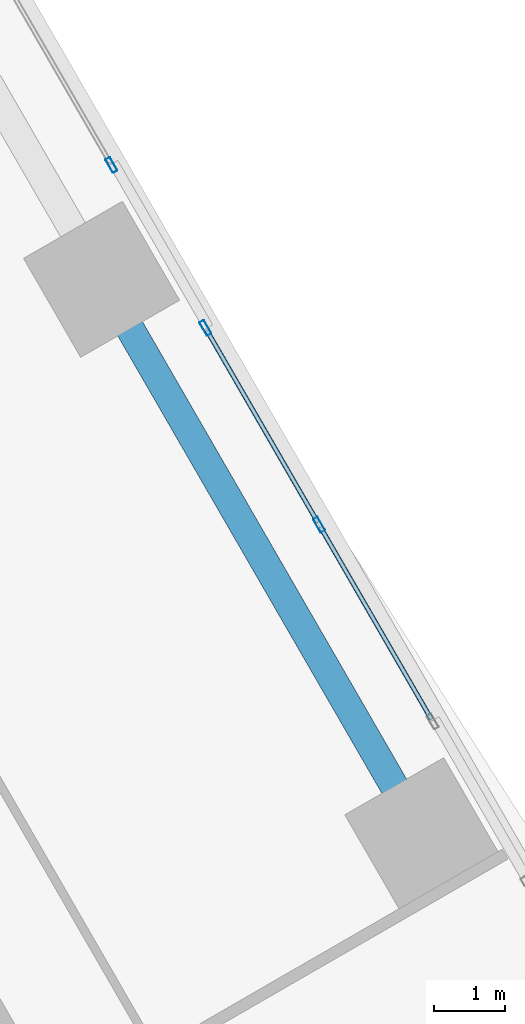
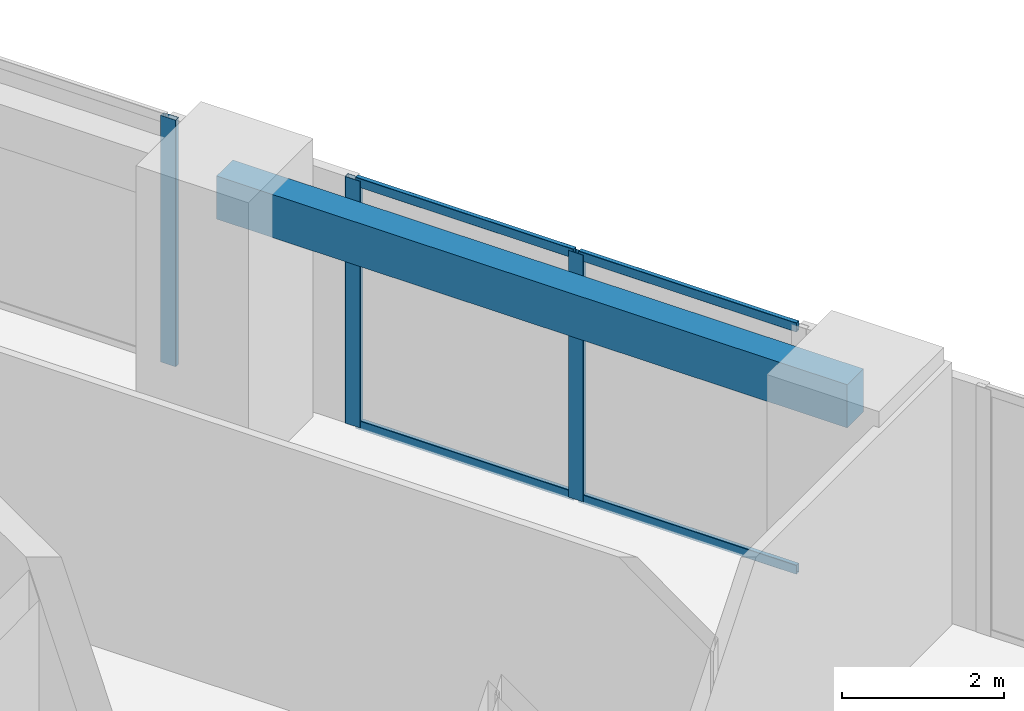
# One storey, part 7 of 16: 7 members, 1 beam, 2 elements without a shape of their own.
"""IFC4 building model written with IfcOpenShell, lengths in metres."""

from ifc_helpers import new_model, si_unit, direction, frame, origin, origin_2d, place, context, subcontext, project, spatial, rectangle, hollow_rectangle, extrude, source, transform, mapped, material, material_profile, profile_set, type_object, element, aggregate, save


model = new_model("IFC4")

# Units and contexts
model_context = context("Model", 3, precision=1e-05, world=origin(), true_north=direction((0.0, 1.0)))
body_context = subcontext(model_context, "Body", "Model", "MODEL_VIEW")
ifc_project = project(units=[si_unit("LENGTHUNIT", "METRE"), si_unit("AREAUNIT", "SQUARE_METRE"), si_unit("VOLUMEUNIT", "CUBIC_METRE"), si_unit("PLANEANGLEUNIT", "RADIAN"), si_unit("MASSUNIT", "GRAM", prefix="KILO")], contexts=[model_context])

# Site, building, storey
site_placement = place(None, origin())
site = spatial("IfcSite", under=ifc_project, at=site_placement, CompositionType="ELEMENT")
building_placement = place(site_placement, origin())
building = spatial("IfcBuilding", under=site, at=building_placement, Name="Torre Montelarca", CompositionType="ELEMENT")
storey_placement = place(building_placement, frame((0.0, 0.0, 319.800048828125)))
storey = spatial("IfcBuildingStorey", under=building, at=storey_placement, Name="L72", CompositionType="ELEMENT", Elevation=319.800048828125)

# Beam
ifc_material_1 = material(Name="Concrete C40/50", Category="concrete")
ifc_material_profile_1 = material_profile(ifc_material_1, rectangle(XDim=0.39990234375, YDim=0.64990234375, at=origin_2d()), Name="RCB400X650", Category="concrete")
ifc_profile_set_1 = profile_set([ifc_material_profile_1], Name="Concrete C40/50")
beam_type = type_object("IfcBeamType", Name="BM-SP-RC650-EXT", PredefinedType="SPANDREL", material=ifc_profile_set_1)
shared_shape_1 = source(origin(), body_context, "Body", "SweptSolid", [
    extrude(rectangle(XDim=0.39990234375, YDim=0.64990234375, at=origin_2d()), origin(), (0.0, 0.0, 1.0), 9.0),
])
beam_placement = place(storey_placement, frame((32.870361328125, 42.606201171875, 3.635009765625), z_axis=(0.5000018851, -0.866024315419, 0.0), x_axis=(0.866024315419, 0.5000018851, 0.0)))
element("IfcBeam", 1, at=beam_placement, inside=storey, type_object=beam_type, Name="L72 Grid Girder X 18.0-27.0 at Y=47.1", PredefinedType="SPANDREL", context=body_context, shape_type="MappedRepresentation", body=[
    mapped(shared_shape_1, transform((0.0, 0.0, 0.0), scale=1.0)),
])

# Curtain wall, members
ifc_material_2 = material(Name="Insulated low-E laminated glass", Category="glass")
curtain_wall_type = type_object("IfcCurtainWallType", Name="CW-SYS-Z4", PredefinedType="USERDEFINED", material=ifc_material_2)
curtain_wall_1_placement = place(storey_placement, origin())
curtain_wall_1 = element("IfcCurtainWall", 2, at=curtain_wall_1_placement, inside=storey, type_object=curtain_wall_type, Name="L72 Curtain Wall Run CW-T3-L72-E08-B2", ObjectType="UNITISED GLAZING", PredefinedType="USERDEFINED")
ifc_material_3 = material(Name="Anodised aluminium AA 6063-T6", Category="aluminium")
ifc_material_profile_2 = material_profile(ifc_material_3, hollow_rectangle(XDim=0.074951171875, YDim=0.219970703125, WallThickness=0.0048828125, InnerFilletRadius=0.0048828125, OuterFilletRadius=0.010009765625, at=origin_2d()), Name="ALU75X220X5", Category="aluminium")
ifc_profile_set_2 = profile_set([ifc_material_profile_2], Name="Anodised aluminium AA 6063-T6")
member_type_1 = type_object("IfcMemberType", Name="CWM-ALU220", PredefinedType="MULLION", material=ifc_profile_set_2)
shared_shape_2 = source(origin(), body_context, "Body", "SweptSolid", [
    extrude(hollow_rectangle(XDim=0.074951171875, YDim=0.219970703125, WallThickness=0.0048828125, InnerFilletRadius=0.0048828125, OuterFilletRadius=0.010009765625, at=origin_2d()), origin(), (0.0, 0.0, 1.0), 3.719970703125),
])
member_1_placement = place(storey_placement, frame((35.9169921875, 39.1689453125, 0.0), z_axis=(0.0, 0.0, 1.0), x_axis=(-0.866025264018, -0.500000242082, 0.0)))
member_1 = element("IfcMember", 3, at=member_1_placement, type_object=member_type_1, Name="CW mullion 2", PredefinedType="MULLION", context=body_context, shape_type="MappedRepresentation", body=[
    mapped(shared_shape_2, transform((0.0, 0.0, 0.0), scale=1.0)),
])
member_2_placement = place(storey_placement, frame((34.32568359375, 41.925048828125, 0.0), z_axis=(0.0, 0.0, 1.0), x_axis=(-0.866025264018, -0.500000242082, 0.0)))
member_2 = element("IfcMember", 4, at=member_2_placement, type_object=member_type_1, Name="CW mullion 3", PredefinedType="MULLION", context=body_context, shape_type="MappedRepresentation", body=[
    mapped(shared_shape_2, transform((0.0, 0.0, 0.0), scale=1.0)),
])

# Curtain wall, member
curtain_wall_2_placement = place(storey_placement, origin())
curtain_wall_2 = element("IfcCurtainWall", 5, at=curtain_wall_2_placement, inside=storey, type_object=curtain_wall_type, Name="L72 Curtain Wall Run CW-T3-L72-E08-B3", ObjectType="UNITISED GLAZING", PredefinedType="USERDEFINED")
member_3_placement = place(storey_placement, frame((33.00830078125, 44.20703125, 0.0), z_axis=(0.0, 0.0, 1.0), x_axis=(-0.866025264018, -0.500000242082, 0.0)))
member_3 = element("IfcMember", 6, at=member_3_placement, type_object=member_type_1, Name="CW mullion 1", PredefinedType="MULLION", context=body_context, shape_type="MappedRepresentation", body=[
    mapped(shared_shape_2, transform((0.0, 0.0, 0.0), scale=1.0)),
])
aggregate(curtain_wall_2, [member_3])

# Member
ifc_material_profile_3 = material_profile(ifc_material_3, hollow_rectangle(XDim=0.06494140625, YDim=0.139892578125, WallThickness=0.00390625, InnerFilletRadius=0.00390625, OuterFilletRadius=0.008056640625, at=origin_2d()), Name="ALU65X140X4", Category="aluminium")
ifc_profile_set_3 = profile_set([ifc_material_profile_3], Name="Anodised aluminium AA 6063-T6")
member_type_2 = type_object("IfcMemberType", Name="CWT-ALU140", PredefinedType="USERDEFINED", material=ifc_profile_set_3)
shared_shape_3 = source(origin(), body_context, "Body", "SweptSolid", [
    extrude(hollow_rectangle(XDim=0.06494140625, YDim=0.139892578125, WallThickness=0.00390625, InnerFilletRadius=0.00390625, OuterFilletRadius=0.008056640625, at=origin_2d()), origin(), (0.0, 0.0, 1.0), 3.107421875),
])
member_4_placement = place(storey_placement, frame((37.489501953125, 36.4453125, 0.032470703125), z_axis=(-0.499992220956, 0.866029894971, 0.0), x_axis=(-0.866029894971, -0.499992220956, 0.0)))
member_4 = element("IfcMember", 7, at=member_4_placement, type_object=member_type_2, Name="CW transom 1.1", ObjectType="TRANSOM", PredefinedType="USERDEFINED", context=body_context, shape_type="MappedRepresentation", body=[
    mapped(shared_shape_3, transform((0.0, 0.0, 0.0), scale=1.0)),
])

member_5_placement = place(storey_placement, frame((37.489501953125, 36.4453125, 3.6875), z_axis=(-0.499992220956, 0.866029894971, 0.0), x_axis=(-0.866029894971, -0.499992220956, 0.0)))
member_5 = element("IfcMember", 8, at=member_5_placement, type_object=member_type_2, Name="CW transom 1.2", ObjectType="TRANSOM", PredefinedType="USERDEFINED", context=body_context, shape_type="MappedRepresentation", body=[
    mapped(shared_shape_3, transform((0.0, 0.0, 0.0), scale=1.0)),
])

member_6_placement = place(storey_placement, frame((35.898193359375, 39.201416015625, 0.032470703125), z_axis=(-0.499992220956, 0.866029894971, 0.0), x_axis=(-0.866029894971, -0.499992220956, 0.0)))
member_6 = element("IfcMember", 9, at=member_6_placement, type_object=member_type_2, Name="CW transom 2.1", ObjectType="TRANSOM", PredefinedType="USERDEFINED", context=body_context, shape_type="MappedRepresentation", body=[
    mapped(shared_shape_3, transform((0.0, 0.0, 0.0), scale=1.0)),
])

member_7_placement = place(storey_placement, frame((35.898193359375, 39.201416015625, 3.6875), z_axis=(-0.499992220956, 0.866029894971, 0.0), x_axis=(-0.866029894971, -0.499992220956, 0.0)))
member_7 = element("IfcMember", 10, at=member_7_placement, type_object=member_type_2, Name="CW transom 2.2", ObjectType="TRANSOM", PredefinedType="USERDEFINED", context=body_context, shape_type="MappedRepresentation", body=[
    mapped(shared_shape_3, transform((0.0, 0.0, 0.0), scale=1.0)),
])

aggregate(curtain_wall_1, [member_1, member_2, member_4, member_5, member_6, member_7])

save(model, "model.ifc")
